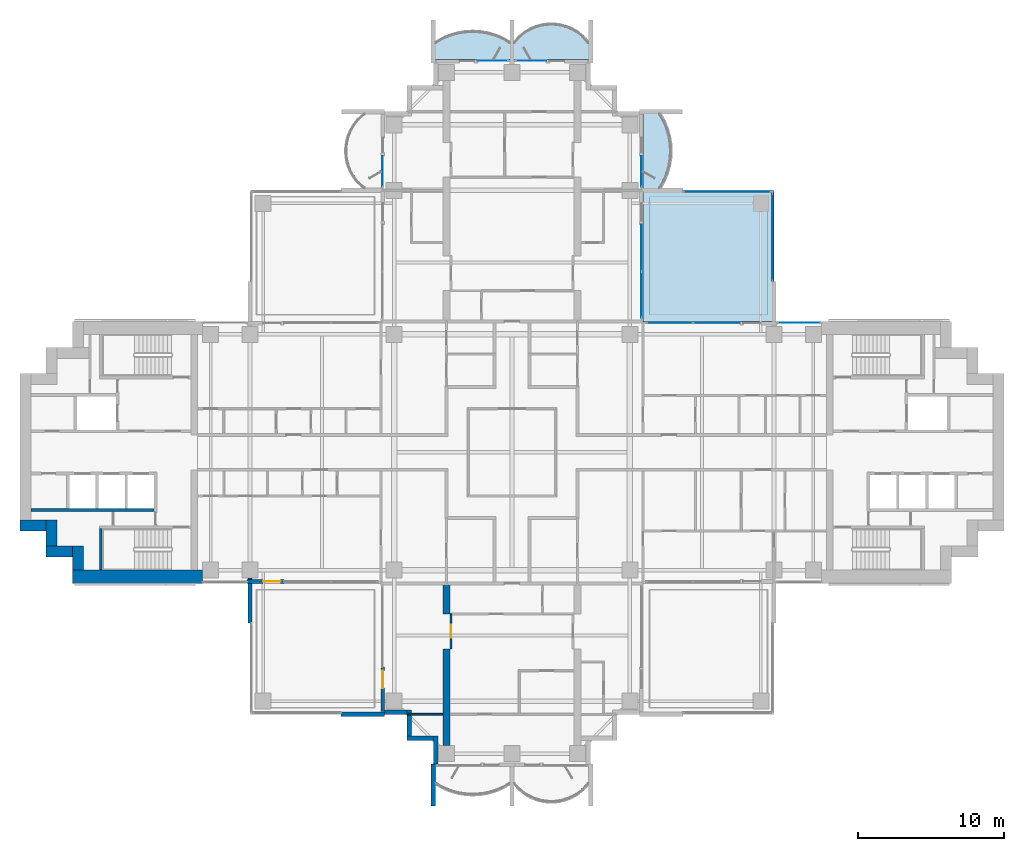
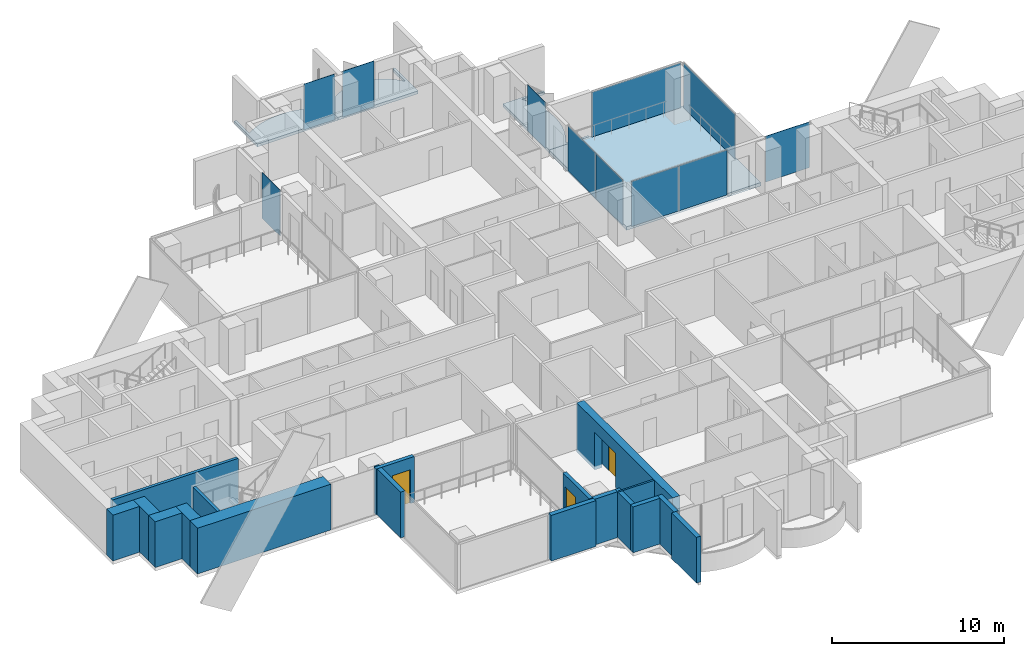
# One storey, part 8 of 19: 19 walls, 11 plates, 4 slabs, 3 doors, 3 openings, 9 elements without a shape of their own.
"""IFC4 building model written with IfcOpenShell, lengths in metres."""

from ifc_helpers import new_model, si_unit, direction, frame, frame_2d, origin, origin_2d, place, context, subcontext, project, spatial, polyline, rectangle, outline, extrude, material, layer, layer_set, material_profile, profile_set, type_object, element, fill, aggregate, save


model = new_model("IFC4")

# Units and contexts
model_context = context("Model", 3, precision=1e-05, world=origin(), true_north=direction((0.0, 1.0)))
body_context = subcontext(model_context, "Body", "Model", "MODEL_VIEW")
ifc_project = project(units=[si_unit("LENGTHUNIT", "METRE"), si_unit("AREAUNIT", "SQUARE_METRE"), si_unit("VOLUMEUNIT", "CUBIC_METRE"), si_unit("PLANEANGLEUNIT", "RADIAN"), si_unit("MASSUNIT", "GRAM", prefix="KILO")], contexts=[model_context])

# Site, building, storey
site_placement = place(None, origin())
site = spatial("IfcSite", under=ifc_project, at=site_placement, CompositionType="ELEMENT")
building_placement = place(site_placement, origin())
building = spatial("IfcBuilding", under=site, at=building_placement, Name="Perihelion Cross Residences", CompositionType="ELEMENT")
storey_placement = place(building_placement, frame((0.0, 0.0, 105.89990234375)))
storey = spatial("IfcBuildingStorey", under=building, at=storey_placement, Name="L24", CompositionType="ELEMENT", Elevation=105.89990234375)

# Slabs
ifc_material_1 = material(Name="Concrete C40/50", Category="concrete")
ifc_layer_1 = layer(ifc_material_1, 0.199951171875)
ifc_layer_set_1 = layer_set([ifc_layer_1], Name="Balcony slab 200")
slab_type_1 = type_object("IfcSlabType", Name="Balcony slab 200", PredefinedType="FLOOR", material=ifc_layer_set_1)
slab_1_placement = place(storey_placement, frame((0.0, 0.0, -0.199951171875)))
element("IfcSlab", 1, at=slab_1_placement, inside=storey, type_object=slab_type_1, Name="Slab BK1 L24 north side east bay 2 balcony", PredefinedType="FLOOR", context=body_context, shape_type="SweptSolid", body=[
    extrude(outline(polyline([(9.0, 18.0), (9.0, 23.39990234375), (11.699951171875, 23.39990234375), (11.699951171875, 23.25), (10.199951171875, 23.25), (10.4853515625, 22.739990234375), (10.694580078125, 22.22998046875), (10.838134765625, 21.719970703125), (10.92236328125, 21.2099609375), (10.949951171875, 20.699951171875), (10.92236328125, 20.18994140625), (10.838134765625, 19.679931640625), (10.694580078125, 19.169921875), (10.4853515625, 18.659912109375), (10.199951171875, 18.14990234375), (11.699951171875, 18.14990234375), (11.699951171875, 18.0), (9.0, 18.0)])), origin(), (0.0, 0.0, 1.0), 0.199951171875),
])
slab_2_placement = place(storey_placement, frame((0.0, 0.0, -0.199951171875)))
element("IfcSlab", 2, at=slab_2_placement, inside=storey, type_object=slab_type_1, Name="Slab BK1 L24 north tip north bay 1 balcony", PredefinedType="FLOOR", context=body_context, shape_type="SweptSolid", body=[
    extrude(outline(polyline([(5.39990234375, 27.0), (0.0, 27.0), (0.0, 29.699951171875), (0.14990234375, 29.699951171875), (0.14990234375, 28.199951171875), (0.542236328125, 28.622314453125), (0.9345703125, 28.924072265625), (1.326904296875, 29.143310546875), (1.71923828125, 29.29736328125), (2.111572265625, 29.39599609375), (2.50390625, 29.444091796875), (2.896240234375, 29.444091796875), (3.28857421875, 29.39599609375), (3.6806640625, 29.29736328125), (4.072998046875, 29.143310546875), (4.46533203125, 28.924072265625), (4.857666015625, 28.622314453125), (5.25, 28.199951171875), (5.25, 29.699951171875), (5.39990234375, 29.699951171875), (5.39990234375, 27.0)])), origin(), (0.0, 0.0, 1.0), 0.199951171875),
])
slab_3_placement = place(storey_placement, frame((0.0, 0.0, -0.199951171875)))
element("IfcSlab", 3, at=slab_3_placement, inside=storey, type_object=slab_type_1, Name="Slab BK1 L24 north tip north bay 2 balcony", PredefinedType="FLOOR", context=body_context, shape_type="SweptSolid", body=[
    extrude(outline(polyline([(0.0, 27.0), (-5.39990234375, 27.0), (-5.39990234375, 29.699951171875), (-5.25, 29.699951171875), (-5.25, 28.199951171875), (-4.739990234375, 28.4853515625), (-4.22998046875, 28.694580078125), (-3.719970703125, 28.838134765625), (-3.2099609375, 28.92236328125), (-2.699951171875, 28.949951171875), (-2.18994140625, 28.92236328125), (-1.679931640625, 28.838134765625), (-1.169921875, 28.694580078125), (-0.659912109375, 28.4853515625), (-0.14990234375, 28.199951171875), (-0.14990234375, 29.699951171875), (0.0, 29.699951171875), (0.0, 27.0)])), origin(), (0.0, 0.0, 1.0), 0.199951171875),
])

# Curtain wall, plate
ifc_material_2 = material(Name="Bronze anodised aluminium, tinted glazing", Category="aluminium")
curtain_wall_type_1 = type_object("IfcCurtainWallType", Name="CW1", PredefinedType="NOTDEFINED", material=ifc_material_2)
curtain_wall_1_placement = place(storey_placement, origin())
curtain_wall_1 = element("IfcCurtainWall", 4, at=curtain_wall_1_placement, inside=storey, type_object=curtain_wall_type_1, Name="Curtain wall CW1 L24 east side north bay 1", PredefinedType="NOTDEFINED")
ifc_material_3 = material(Name="Tinted laminated glass", Category="glass")
ifc_layer_2 = layer(ifc_material_3, 0.028076171875)
ifc_layer_set_2 = layer_set([ifc_layer_2], Name="CW1 panel")
plate_type_1 = type_object("IfcPlateType", Name="CW1 panel", PredefinedType="CURTAIN_PANEL", material=ifc_layer_set_2)
plate_1_placement = place(storey_placement, frame((19.72509765625, 8.89990234375, 0.0), z_axis=(0.0, 0.0, 1.0), x_axis=(-1.0, 0.0, 0.0)))
plate_1 = element("IfcPlate", 5, at=plate_1_placement, type_object=plate_type_1, Name="CW1 panel 1", PredefinedType="CURTAIN_PANEL", context=body_context, shape_type="SweptSolid", body=[
    extrude(rectangle(XDim=2.929931640625, YDim=0.028076171875, at=origin_2d()), origin(), (0.0, 0.0, 1.0), 3.25),
])
aggregate(curtain_wall_1, [plate_1])

# Curtain wall, plates
curtain_wall_2_placement = place(storey_placement, origin())
curtain_wall_2 = element("IfcCurtainWall", 6, at=curtain_wall_2_placement, inside=storey, type_object=curtain_wall_type_1, Name="Curtain wall CW1 L24 east side north bay 2", PredefinedType="NOTDEFINED")
plate_2_placement = place(storey_placement, frame((14.052490234375, 8.89990234375, 0.000244140625), z_axis=(0.0, 0.0, 1.0), x_axis=(-1.0, 0.0, 0.0)))
plate_2 = element("IfcPlate", 7, at=plate_2_placement, type_object=plate_type_1, Name="CW1 panel 1", PredefinedType="CURTAIN_PANEL", context=body_context, shape_type="SweptSolid", body=[
    extrude(rectangle(XDim=3.195068359375, YDim=0.028076171875, at=origin_2d()), origin(), (0.0, 0.0, 1.0), 3.18994140625),
])
plate_3_placement = place(storey_placement, frame((10.827392578125, 8.89990234375, 0.000244140625), z_axis=(0.0, 0.0, 1.0), x_axis=(-1.0, 0.0, 0.0)))
plate_3 = element("IfcPlate", 8, at=plate_3_placement, type_object=plate_type_1, Name="CW1 panel 2", PredefinedType="CURTAIN_PANEL", context=body_context, shape_type="SweptSolid", body=[
    extrude(rectangle(XDim=3.135009765625, YDim=0.028076171875, at=origin_2d()), origin(), (0.0, 0.0, 1.0), 3.18994140625),
])
aggregate(curtain_wall_2, [plate_2, plate_3])

curtain_wall_3_placement = place(storey_placement, origin())
curtain_wall_3 = element("IfcCurtainWall", 9, at=curtain_wall_3_placement, inside=storey, type_object=curtain_wall_type_1, Name="Curtain wall CW1 L24 north side east bay 1", PredefinedType="NOTDEFINED")
plate_4_placement = place(storey_placement, frame((8.89990234375, 10.827392578125, 0.000244140625), z_axis=(0.0, 0.0, 1.0), x_axis=(0.0, 1.0, 0.0)))
plate_4 = element("IfcPlate", 10, at=plate_4_placement, type_object=plate_type_1, Name="CW1 panel 1", PredefinedType="CURTAIN_PANEL", context=body_context, shape_type="SweptSolid", body=[
    extrude(rectangle(XDim=3.135009765625, YDim=0.028076171875, at=origin_2d()), origin(), (0.0, 0.0, 1.0), 3.18994140625),
])
plate_5_placement = place(storey_placement, frame((8.89990234375, 14.052490234375, 0.000244140625), z_axis=(0.0, 0.0, 1.0), x_axis=(0.0, 1.0, 0.0)))
plate_5 = element("IfcPlate", 11, at=plate_5_placement, type_object=plate_type_1, Name="CW1 panel 2", PredefinedType="CURTAIN_PANEL", context=body_context, shape_type="SweptSolid", body=[
    extrude(rectangle(XDim=3.195068359375, YDim=0.028076171875, at=origin_2d()), origin(), (0.0, 0.0, 1.0), 3.18994140625),
])
aggregate(curtain_wall_3, [plate_4, plate_5])

# Curtain wall, plate
curtain_wall_4_placement = place(storey_placement, origin())
curtain_wall_4 = element("IfcCurtainWall", 12, at=curtain_wall_4_placement, inside=storey, type_object=curtain_wall_type_1, Name="Curtain wall CW1 L24 north side east bay 2", PredefinedType="NOTDEFINED")
plate_6_placement = place(storey_placement, frame((8.89990234375, 19.304931640625, 0.0), z_axis=(0.0, 0.0, 1.0), x_axis=(0.0, 1.0, 0.0)))
plate_6 = element("IfcPlate", 13, at=plate_6_placement, type_object=plate_type_1, Name="CW1 panel 1", PredefinedType="CURTAIN_PANEL", context=body_context, shape_type="SweptSolid", body=[
    extrude(rectangle(XDim=2.090087890625, YDim=0.028076171875, at=origin_2d()), origin(), (0.0, 0.0, 1.0), 3.25),
])
aggregate(curtain_wall_4, [plate_6])

curtain_wall_5_placement = place(storey_placement, origin())
curtain_wall_5 = element("IfcCurtainWall", 14, at=curtain_wall_5_placement, inside=storey, type_object=curtain_wall_type_1, Name="Curtain wall CW1 L24 north tip north bay 1", PredefinedType="NOTDEFINED")
plate_7_placement = place(storey_placement, frame((1.304931640625, 26.89990234375, 0.0), z_axis=(0.0, 0.0, 1.0), x_axis=(-1.0, 0.0, 0.0)))
plate_7 = element("IfcPlate", 15, at=plate_7_placement, type_object=plate_type_1, Name="CW1 panel 1", PredefinedType="CURTAIN_PANEL", context=body_context, shape_type="SweptSolid", body=[
    extrude(rectangle(XDim=2.090087890625, YDim=0.028076171875, at=origin_2d()), origin(), (0.0, 0.0, 1.0), 3.25),
])
aggregate(curtain_wall_5, [plate_7])

curtain_wall_6_placement = place(storey_placement, origin())
curtain_wall_6 = element("IfcCurtainWall", 16, at=curtain_wall_6_placement, inside=storey, type_object=curtain_wall_type_1, Name="Curtain wall CW1 L24 north tip north bay 2", PredefinedType="NOTDEFINED")
plate_8_placement = place(storey_placement, frame((-1.304931640625, 26.89990234375, 0.0), z_axis=(0.0, 0.0, 1.0), x_axis=(-1.0, 0.0, 0.0)))
plate_8 = element("IfcPlate", 17, at=plate_8_placement, type_object=plate_type_1, Name="CW1 panel 1", PredefinedType="CURTAIN_PANEL", context=body_context, shape_type="SweptSolid", body=[
    extrude(rectangle(XDim=2.090087890625, YDim=0.028076171875, at=origin_2d()), origin(), (0.0, 0.0, 1.0), 3.25),
])
aggregate(curtain_wall_6, [plate_8])

curtain_wall_7_placement = place(storey_placement, origin())
curtain_wall_7 = element("IfcCurtainWall", 18, at=curtain_wall_7_placement, inside=storey, type_object=curtain_wall_type_1, Name="Curtain wall CW1 L24 north side west bay 1", PredefinedType="NOTDEFINED")
plate_9_placement = place(storey_placement, frame((-8.89990234375, 19.304931640625, 0.0), z_axis=(0.0, 0.0, 1.0), x_axis=(0.0, -1.0, 0.0)))
plate_9 = element("IfcPlate", 19, at=plate_9_placement, type_object=plate_type_1, Name="CW1 panel 1", PredefinedType="CURTAIN_PANEL", context=body_context, shape_type="SweptSolid", body=[
    extrude(rectangle(XDim=2.090087890625, YDim=0.028076171875, at=origin_2d()), origin(), (0.0, 0.0, 1.0), 3.25),
])
aggregate(curtain_wall_7, [plate_9])

ifc_material_4 = material(Name="Bronze anodised aluminium, tinted glazing", Category="aluminium")
curtain_wall_type_2 = type_object("IfcCurtainWallType", Name="CW4", PredefinedType="NOTDEFINED", material=ifc_material_4)
curtain_wall_8_placement = place(storey_placement, origin())
curtain_wall_8 = element("IfcCurtainWall", 20, at=curtain_wall_8_placement, inside=storey, type_object=curtain_wall_type_2, Name="Curtain wall CW4 L24 pocket north-east 1 1", PredefinedType="NOTDEFINED")
ifc_material_5 = material(Name="Tinted laminated glass", Category="glass")
ifc_layer_3 = layer(ifc_material_5, 0.030029296875)
ifc_layer_set_3 = layer_set([ifc_layer_3], Name="CW4 panel")
plate_type_2 = type_object("IfcPlateType", Name="CW4 panel", PredefinedType="CURTAIN_PANEL", material=ifc_layer_set_3)
plate_10_placement = place(storey_placement, frame((14.784912109375, 17.89990234375, 0.000244140625), z_axis=(0.0, 0.0, 1.0), x_axis=(1.0, 0.0, 0.0)))
plate_10 = element("IfcPlate", 21, at=plate_10_placement, type_object=plate_type_2, Name="CW4 panel 1", PredefinedType="CURTAIN_PANEL", context=body_context, shape_type="SweptSolid", body=[
    extrude(rectangle(XDim=5.969970703125, YDim=0.030029296875, at=origin_2d()), origin(), (0.0, 0.0, 1.0), 3.18994140625),
])
aggregate(curtain_wall_8, [plate_10])

curtain_wall_9_placement = place(storey_placement, origin())
curtain_wall_9 = element("IfcCurtainWall", 22, at=curtain_wall_9_placement, inside=storey, type_object=curtain_wall_type_2, Name="Curtain wall CW4 L24 pocket north-east 1 2", PredefinedType="NOTDEFINED")
plate_11_placement = place(storey_placement, frame((17.89990234375, 14.784912109375, 0.000244140625), z_axis=(0.0, 0.0, 1.0), x_axis=(0.0, -1.0, 0.0)))
plate_11 = element("IfcPlate", 23, at=plate_11_placement, type_object=plate_type_2, Name="CW4 panel 1", PredefinedType="CURTAIN_PANEL", context=body_context, shape_type="SweptSolid", body=[
    extrude(rectangle(XDim=5.969970703125, YDim=0.030029296875, at=origin_2d()), origin(), (0.0, 0.0, 1.0), 3.18994140625),
])
aggregate(curtain_wall_9, [plate_11])

# Slab
ifc_material_6 = material(Name="Concrete C40/50", Category="concrete")
ifc_layer_4 = layer(ifc_material_6, 0.25)
ifc_layer_set_4 = layer_set([ifc_layer_4], Name="Winter garden slab")
slab_type_2 = type_object("IfcSlabType", Name="Winter garden slab", PredefinedType="FLOOR", material=ifc_layer_set_4)
slab_4_placement = place(storey_placement, frame((0.0, 0.0, -0.25)))
element("IfcSlab", 24, at=slab_4_placement, inside=storey, type_object=slab_type_2, Name="Slab BK3 L24 pocket north-east", PredefinedType="FLOOR", context=body_context, shape_type="SweptSolid", body=[
    extrude(outline(polyline([(18.0, 9.0), (18.0, 18.0), (9.0, 18.0), (9.0, 9.0), (18.0, 9.0)])), origin(), (0.0, 0.0, 1.0), 0.25),
])

# Wall, opening, door
ifc_material_7 = material(Name="Concrete C30/37, bronze-clad", Category="concrete")
ifc_layer_5 = layer(ifc_material_7, 0.25)
ifc_layer_set_5 = layer_set([ifc_layer_5], Name="Bronze-clad pier wall 250")
wall_type_1 = type_object("IfcWallType", Name="Bronze-clad pier wall 250", PredefinedType="SOLIDWALL", material=ifc_layer_set_5)
wall_1_placement = place(storey_placement, frame((-18.199951171875, -8.875, 0.0), z_axis=(0.0, 0.0, 1.0), x_axis=(1.0, 0.0, 0.0)))
wall_1 = element("IfcWall", 25, at=wall_1_placement, inside=storey, type_object=wall_type_1, Name="Wall FW1 L24 west side south bay 2 pier", PredefinedType="SOLIDWALL", context=body_context, shape_type="SweptSolid", body=[
    extrude(rectangle(XDim=2.550048828125, YDim=0.25, at=frame_2d((1.27490234375, 0.0))), origin(), (0.0, 0.0, 1.0), 3.25),
])
opening_1_placement = place(wall_1_placement, frame((1.10009765625, 0.0, 0.0)))
opening_1 = element("IfcOpeningElement", 26, at=opening_1_placement, cuts=wall_1, Name="Opening L24.E09", PredefinedType="OPENING", context=body_context, shape_type="SweptSolid", body=[
    extrude(rectangle(XDim=1.199951171875, YDim=2.39990234375, at=frame_2d((0.60009765625, 1.199951171875))), frame((0.0, 0.135009765625, 0.0), z_axis=(0.0, -1.0, 0.0), x_axis=(1.0, 0.0, 0.0)), (0.0, 0.0, 1.0), 0.27001953125),
])
ifc_material_8 = material(Name="Bronze anodised aluminium, glazed", Category="aluminium")
door_type_1 = type_object("IfcDoorType", Name="Balcony door 1200 x 2400", OperationType="NOTDEFINED", PredefinedType="DOOR", material=ifc_material_8)
door_1_placement = place(opening_1_placement, origin())
door_1 = element("IfcDoor", 27, at=door_1_placement, inside=storey, type_object=door_type_1, Name="Door L24.E09 west side south bay 2", OperationType="SINGLE_SWING_RIGHT", OverallHeight=2.39990234375, OverallWidth=1.199951171875, PredefinedType="DOOR", context=body_context, shape_type="SweptSolid", body=[
    extrude(rectangle(XDim=1.199951171875, YDim=2.39990234375, at=frame_2d((0.60009765625, 1.199951171875))), frame((0.0, 0.02490234375, 0.0), z_axis=(0.0, -1.0, 0.0), x_axis=(1.0, 0.0, 0.0)), (0.0, 0.0, 1.0), 0.050048828125),
])
fill(opening_1, door_1)

wall_2_placement = place(storey_placement, frame((-8.875, -14.75, 0.0), z_axis=(0.0, 0.0, 1.0), x_axis=(0.0, -1.0, 0.0)))
wall_2 = element("IfcWall", 28, at=wall_2_placement, inside=storey, type_object=wall_type_1, Name="Wall FW1 L24 south side west bay 1 pier", PredefinedType="SOLIDWALL", context=body_context, shape_type="SweptSolid", body=[
    extrude(rectangle(XDim=3.050048828125, YDim=0.25, at=frame_2d((1.52490234375, 0.0))), origin(), (0.0, 0.0, 1.0), 3.25),
])
opening_2_placement = place(wall_2_placement, frame((0.25, 0.0, 0.0)))
opening_2 = element("IfcOpeningElement", 29, at=opening_2_placement, cuts=wall_2, Name="Opening L24.E10", PredefinedType="OPENING", context=body_context, shape_type="SweptSolid", body=[
    extrude(rectangle(XDim=1.199951171875, YDim=2.39990234375, at=frame_2d((0.60009765625, 1.199951171875))), frame((0.0, 0.135009765625, 0.0), z_axis=(0.0, -1.0, 0.0), x_axis=(1.0, 0.0, 0.0)), (0.0, 0.0, 1.0), 0.27001953125),
])
door_2_placement = place(opening_2_placement, origin())
door_2 = element("IfcDoor", 30, at=door_2_placement, inside=storey, type_object=door_type_1, Name="Door L24.E10 south side west bay 1", OperationType="SINGLE_SWING_LEFT", OverallHeight=2.39990234375, OverallWidth=1.199951171875, PredefinedType="DOOR", context=body_context, shape_type="SweptSolid", body=[
    extrude(rectangle(XDim=1.199951171875, YDim=2.39990234375, at=frame_2d((0.60009765625, 1.199951171875))), frame((0.0, 0.02490234375, 0.0), z_axis=(0.0, -1.0, 0.0), x_axis=(1.0, 0.0, 0.0)), (0.0, 0.0, 1.0), 0.050048828125),
])
fill(opening_2, door_2)

# Walls
ifc_material_9 = material(Name="Concrete C30/37, bronze-clad", Category="concrete")
ifc_layer_6 = layer(ifc_material_9, 0.300048828125)
ifc_layer_set_6 = layer_set([ifc_layer_6], Name="Bronze-clad serration wall 300")
wall_type_2 = type_object("IfcWallType", Name="Bronze-clad serration wall 300", PredefinedType="SOLIDWALL", material=ifc_layer_set_6)
wall_3_placement = place(storey_placement, frame((-8.75, -17.85009765625, 0.0), z_axis=(0.0, 0.0, 1.0), x_axis=(1.0, 0.0, 0.0)))
element("IfcWall", 31, at=wall_3_placement, inside=storey, type_object=wall_type_2, Name="Wall SR1 L24 south corner south-west 1", PredefinedType="SOLIDWALL", context=body_context, shape_type="SweptSolid", body=[
    extrude(rectangle(XDim=1.550048828125, YDim=0.300048828125, at=frame_2d((0.77490234375, 0.0))), origin(), (0.0, 0.0, 1.0), 3.25),
])
for number, where, z_axis, x_axis, name in (
    (32, (-7.050048828125, -17.699951171875, 0.0), (0.0, 0.0, 1.0), (0.0, -1.0, 0.0), "Wall SR1 L24 south corner south-west 2"),
    (33, (-7.199951171875, -19.64990234375, 0.0), (0.0, 0.0, 1.0), (1.0, 0.0, 0.0), "Wall SR1 L24 south corner south-west 3"),
):
    element("IfcWall", number, at=place(storey_placement, frame(where, z_axis=z_axis, x_axis=x_axis)), inside=storey, type_object=wall_type_2, Name=name, PredefinedType="SOLIDWALL", context=body_context, shape_type="SweptSolid", body=[
        extrude(rectangle(XDim=1.800048828125, YDim=0.300048828125, at=frame_2d((0.89990234375, 0.0))), origin(), (0.0, 0.0, 1.0), 3.25),
    ])
wall_4_placement = place(storey_placement, frame((-5.25, -19.5, 0.0), z_axis=(0.0, 0.0, 1.0), x_axis=(0.0, -1.0, 0.0)))
element("IfcWall", 34, at=wall_4_placement, inside=storey, type_object=wall_type_2, Name="Wall SR1 L24 south corner south-west 4", PredefinedType="SOLIDWALL", context=body_context, shape_type="SweptSolid", body=[
    extrude(rectangle(XDim=1.919921875, YDim=0.300048828125, at=frame_2d((0.9599609375, 0.0))), origin(), (0.0, 0.0, 1.0), 3.25),
])
ifc_material_10 = material(Name="Concrete C60/75", Category="concrete")
ifc_layer_7 = layer(ifc_material_10, 0.75)
ifc_layer_set_7 = layer_set([ifc_layer_7], Name="Core wall, outer 750")
wall_type_3 = type_object("IfcWallType", Name="Core wall, outer 750", PredefinedType="SHEAR", material=ifc_layer_set_7)
wall_5_placement = place(storey_placement, frame((-29.824951171875, -8.10009765625, 0.0), z_axis=(0.0, 0.0, 1.0), x_axis=(0.0, 1.0, 0.0)))
element("IfcWall", 35, at=wall_5_placement, inside=storey, type_object=wall_type_3, Name="West core core wall, outer", PredefinedType="SHEAR", context=body_context, shape_type="SweptSolid", body=[
    extrude(rectangle(XDim=1.650146484375, YDim=0.75, at=frame_2d((0.8251953125, 0.0))), origin(), (0.0, 0.0, 1.0), 3.25),
])
for number, where, z_axis, x_axis, name in (
    (36, (-32.0, -6.824951171875, 0.0), (0.0, 0.0, 1.0), (1.0, 0.0, 0.0), "West core core wall, outer"),
    (37, (-31.625, -6.449951171875, 0.0), (0.0, 0.0, 1.0), (0.0, 1.0, 0.0), "West core core wall, outer"),
    (38, (-33.800048828125, -5.02490234375, 0.0), (0.0, 0.0, 1.0), (1.0, 0.0, 0.0), "West core core wall, outer"),
):
    element("IfcWall", number, at=place(storey_placement, frame(where, z_axis=z_axis, x_axis=x_axis)), inside=storey, type_object=wall_type_3, Name=name, PredefinedType="SHEAR", context=body_context, shape_type="SweptSolid", body=[
        extrude(rectangle(XDim=1.800048828125, YDim=0.75, at=frame_2d((0.89990234375, 0.0))), origin(), (0.0, 0.0, 1.0), 3.25),
    ])
ifc_material_11 = material(Name="Concrete C60/75", Category="concrete")
ifc_layer_8 = layer(ifc_material_11, 0.89990234375)
ifc_layer_set_8 = layer_set([ifc_layer_8], Name="Core wall, outer 900")
wall_type_4 = type_object("IfcWallType", Name="Core wall, outer 900", PredefinedType="SHEAR", material=ifc_layer_set_8)
wall_6_placement = place(storey_placement, frame((-30.199951171875, -8.550048828125, 0.0), z_axis=(0.0, 0.0, 1.0), x_axis=(1.0, 0.0, 0.0)))
element("IfcWall", 39, at=wall_6_placement, inside=storey, type_object=wall_type_4, Name="West core core wall, outer", PredefinedType="SHEAR", context=body_context, shape_type="SweptSolid", body=[
    extrude(rectangle(XDim=8.949951171875, YDim=0.89990234375, at=frame_2d((4.47509765625, 0.0))), origin(), (0.0, 0.0, 1.0), 3.25),
])

# Wall, opening, door
ifc_material_12 = material(Name="Plasterboard partition")
ifc_layer_9 = layer(ifc_material_12, 0.1201171875)
ifc_layer_set_9 = layer_set([ifc_layer_9], Name="Infill panel 120")
wall_type_5 = type_object("IfcWallType", Name="Infill panel 120", PredefinedType="PARTITIONING", material=ifc_layer_set_9)
wall_7_placement = place(storey_placement, frame((-4.18994140625, -11.10009765625, 0.0), z_axis=(0.0, 0.0, 1.0), x_axis=(0.0, -1.0, 0.0)))
wall_7 = element("IfcWall", 40, at=wall_7_placement, inside=storey, type_object=wall_type_5, Name="Partition L24 WI06", PredefinedType="PARTITIONING", context=body_context, shape_type="SweptSolid", body=[
    extrude(rectangle(XDim=2.39990234375, YDim=0.1201171875, at=frame_2d((1.199951171875, 0.0))), origin(), (0.0, 0.0, 1.0), 2.400146484375),
])
opening_3_placement = place(wall_7_placement, frame((0.75, 0.0, 0.0)))
opening_3 = element("IfcOpeningElement", 41, at=opening_3_placement, cuts=wall_7, Name="Opening L24.A55", PredefinedType="OPENING", context=body_context, shape_type="SweptSolid", body=[
    extrude(rectangle(XDim=0.89990234375, YDim=2.10009765625, at=frame_2d((0.449951171875, 1.050048828125))), frame((0.0, 0.070068359375, 0.0), z_axis=(0.0, -1.0, 0.0), x_axis=(1.0, 0.0, 0.0)), (0.0, 0.0, 1.0), 0.14013671875),
])
ifc_material_13 = material(Name="Timber door leaf", Category="wood")
door_type_2 = type_object("IfcDoorType", Name="Interior room door 900 x 2100", OperationType="SINGLE_SWING_LEFT", PredefinedType="DOOR", material=ifc_material_13)
door_3_placement = place(opening_3_placement, origin())
door_3 = element("IfcDoor", 42, at=door_3_placement, inside=storey, type_object=door_type_2, Name="Door L24.A55", OperationType="SINGLE_SWING_LEFT", OverallHeight=2.10009765625, OverallWidth=0.89990234375, PredefinedType="DOOR", context=body_context, shape_type="SweptSolid", body=[
    extrude(rectangle(XDim=0.89990234375, YDim=2.10009765625, at=frame_2d((0.449951171875, 1.050048828125))), frame((0.0, 0.02490234375, 0.0), z_axis=(0.0, -1.0, 0.0), x_axis=(1.0, 0.0, 0.0)), (0.0, 0.0, 1.0), 0.050048828125),
])
fill(opening_3, door_3)

# Walls
ifc_material_14 = material(Name="Plasterboard partition")
ifc_layer_10 = layer(ifc_material_14, 0.1201171875)
ifc_layer_set_10 = layer_set([ifc_layer_10], Name="Partition wall 120")
wall_type_6 = type_object("IfcWallType", Name="Partition wall 120", PredefinedType="PARTITIONING", material=ifc_layer_set_10)
wall_8_placement = place(storey_placement, frame((-4.75, -18.0, 0.0), z_axis=(0.0, 0.0, 1.0), x_axis=(-1.0, 0.0, 0.0)))
element("IfcWall", 43, at=wall_8_placement, inside=storey, type_object=wall_type_6, Name="Partition L24 W088", PredefinedType="PARTITIONING", context=body_context, shape_type="SweptSolid", body=[
    extrude(rectangle(XDim=2.3701171875, YDim=0.1201171875, at=frame_2d((1.18505859375, 0.0))), origin(), (0.0, 0.0, 1.0), 3.25),
])
ifc_material_15 = material(Name="Precast concrete C50/60", Category="concrete")
ifc_layer_11 = layer(ifc_material_15, 0.300048828125)
ifc_layer_set_11 = layer_set([ifc_layer_11], Name="Precast concrete C50/60 blade wall 300")
wall_type_7 = type_object("IfcWallType", Name="Precast concrete C50/60 blade wall 300", PredefinedType="SOLIDWALL", material=ifc_layer_set_11)
wall_9_placement = place(storey_placement, frame((-18.0, -8.64990234375, 0.0), z_axis=(0.0, 0.0, 1.0), x_axis=(0.0, -1.0, 0.0)))
element("IfcWall", 44, at=wall_9_placement, inside=storey, type_object=wall_type_7, Name="Wall BL1 L24 no. 1", PredefinedType="SOLIDWALL", context=body_context, shape_type="SweptSolid", body=[
    extrude(rectangle(XDim=3.090087890625, YDim=0.300048828125, at=frame_2d((1.544921875, 0.0))), origin(), (0.0, 0.0, 1.0), 3.25),
])
wall_10_placement = place(storey_placement, frame((-8.75, -18.0, 0.0), z_axis=(0.0, 0.0, 1.0), x_axis=(-1.0, 0.0, 0.0)))
element("IfcWall", 45, at=wall_10_placement, inside=storey, type_object=wall_type_7, Name="Wall BL1 L24 no. 5", PredefinedType="SOLIDWALL", context=body_context, shape_type="SweptSolid", body=[
    extrude(rectangle(XDim=2.989990234375, YDim=0.300048828125, at=frame_2d((1.4951171875, 0.0))), origin(), (0.0, 0.0, 1.0), 3.25),
])
wall_11_placement = place(storey_placement, frame((-5.39990234375, -21.419921875, 0.0), z_axis=(0.0, 0.0, 1.0), x_axis=(0.0, -1.0, 0.0)))
element("IfcWall", 46, at=wall_11_placement, inside=storey, type_object=wall_type_7, Name="Wall BL1 L24 no. 3", PredefinedType="SOLIDWALL", context=body_context, shape_type="SweptSolid", body=[
    extrude(rectangle(XDim=2.880126953125, YDim=0.300048828125, at=frame_2d((1.43994140625, 0.0))), origin(), (0.0, 0.0, 1.0), 3.25),
])
ifc_material_16 = material(Name="Concrete C50/60", Category="concrete")
ifc_layer_12 = layer(ifc_material_16, 0.199951171875)
ifc_layer_set_12 = layer_set([ifc_layer_12], Name="Shaft wall 200")
wall_type_8 = type_object("IfcWallType", Name="Shaft wall 200", PredefinedType="SOLIDWALL", material=ifc_layer_set_12)
wall_12_placement = place(storey_placement, frame((-33.050048828125, -3.949951171875, 0.0), z_axis=(0.0, 0.0, 1.0), x_axis=(1.0, 0.0, 0.0)))
element("IfcWall", 47, at=wall_12_placement, inside=storey, type_object=wall_type_8, Name="West core shaft wall", PredefinedType="SOLIDWALL", context=body_context, shape_type="SweptSolid", body=[
    extrude(rectangle(XDim=8.449951171875, YDim=0.199951171875, at=frame_2d((4.22509765625, 0.0))), origin(), (0.0, 0.0, 1.0), 3.25),
])
ifc_material_17 = material(Name="Concrete C50/60", Category="concrete")
ifc_layer_13 = layer(ifc_material_17, 0.199951171875)
ifc_layer_set_13 = layer_set([ifc_layer_13], Name="Stair wall 200")
wall_type_9 = type_object("IfcWallType", Name="Stair wall 200", PredefinedType="SOLIDWALL", material=ifc_layer_set_13)
wall_13_placement = place(storey_placement, frame((-28.25, -8.10009765625, 0.0), z_axis=(0.0, 0.0, 1.0), x_axis=(0.0, 1.0, 0.0)))
element("IfcWall", 48, at=wall_13_placement, inside=storey, type_object=wall_type_9, Name="West core stair wall", PredefinedType="SOLIDWALL", context=body_context, shape_type="SweptSolid", body=[
    extrude(rectangle(XDim=2.85009765625, YDim=0.199951171875, at=frame_2d((1.425048828125, 0.0))), origin(), (0.0, 0.0, 1.0), 3.25),
])
ifc_material_18 = material(Name="Concrete C60/75", Category="concrete")
ifc_material_profile = material_profile(ifc_material_18, outline(polyline([(0.0, 0.0), (6.64990234375, 0.0), (6.64990234375, 2.64990234375), (9.050048828125, 2.64990234375), (9.050048828125, 0.0), (11.14990234375, 0.0), (11.14990234375, 3.5), (0.0, 3.5), (0.0, 0.0)])), Name="Tip spine wall")
ifc_profile_set = profile_set([ifc_material_profile], Name="Concrete C60/75")
wall_type_10 = type_object("IfcWallType", Name="Tip spine wall 500 with 1 door openings 11150 long 3500 high concrete C60/75", PredefinedType="SHEAR", material=ifc_profile_set)
wall_14_placement = place(storey_placement, frame((-4.75, -20.14990234375, -0.25), z_axis=(1.0, 0.0, 0.0), x_axis=(0.0, 1.0, 0.0)))
element("IfcWall", 49, at=wall_14_placement, inside=storey, type_object=wall_type_10, Name="Shear wall SW33 L24 south west", PredefinedType="SHEAR", context=body_context, shape_type="SweptSolid", body=[
    extrude(outline(polyline([(0.0, 0.0), (6.64990234375, 0.0), (6.64990234375, 2.64990234375), (9.050048828125, 2.64990234375), (9.050048828125, 0.0), (11.14990234375, 0.0), (11.14990234375, 3.5), (0.0, 3.5), (0.0, 0.0)])), origin(), (0.0, 0.0, 1.0), 0.5),
])

save(model, "model.ifc")
